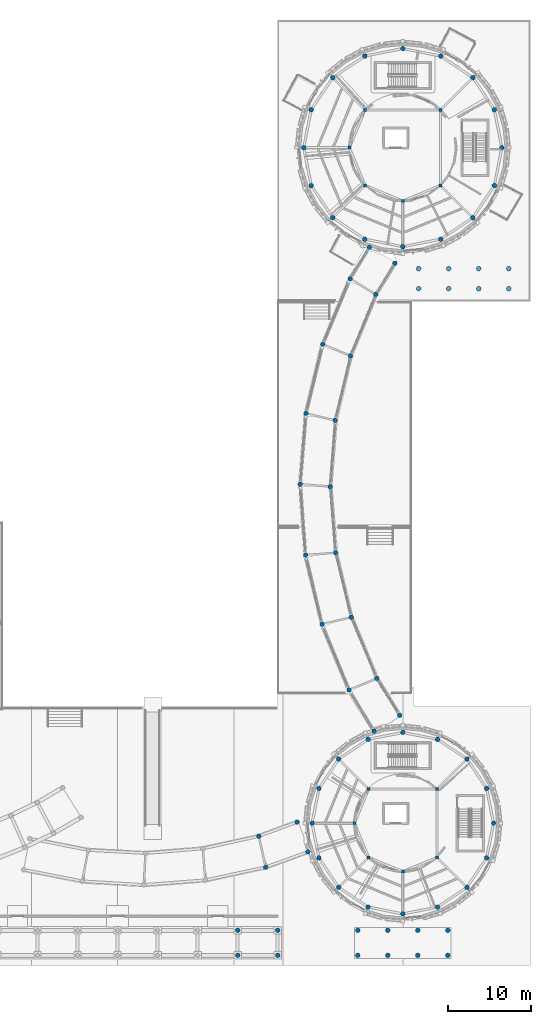
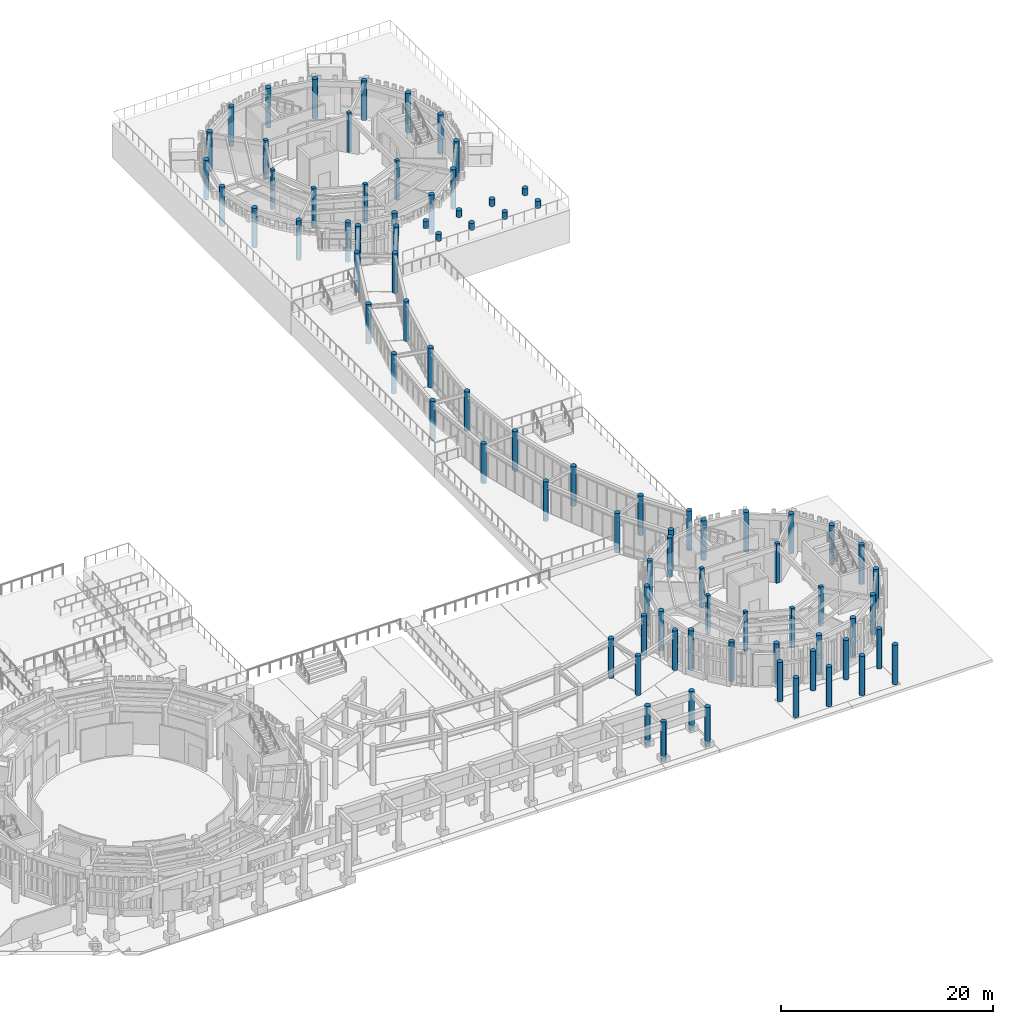
# One storey, part 4 of 94: 86 columns.
"""IFC4 building model written with IfcOpenShell, lengths in metres."""

from ifc_helpers import new_model, si_unit, direction, frame, origin, origin_2d, place, context, subcontext, project, spatial, rectangle, circle, extrude, material, material_profile, profile_set, type_object, element, save


model = new_model("IFC4")

# Units and contexts
model_context = context("Model", 3, precision=1e-05, world=origin(), true_north=direction((0.0, 1.0)))
body_context = subcontext(model_context, "Body", "Model", "MODEL_VIEW")
ifc_project = project(units=[si_unit("LENGTHUNIT", "METRE"), si_unit("AREAUNIT", "SQUARE_METRE"), si_unit("VOLUMEUNIT", "CUBIC_METRE"), si_unit("PLANEANGLEUNIT", "RADIAN"), si_unit("MASSUNIT", "GRAM", prefix="KILO")], contexts=[model_context])

# Site, building, storey
site_placement = place(None, origin())
site = spatial("IfcSite", under=ifc_project, at=site_placement, CompositionType="ELEMENT")
building_placement = place(site_placement, origin())
building = spatial("IfcBuilding", under=site, at=building_placement, Name="Aldenvaro Health Centre", CompositionType="ELEMENT")
storey_placement = place(building_placement, origin())
storey = spatial("IfcBuildingStorey", under=building, at=storey_placement, Name="L00", CompositionType="ELEMENT", Elevation=0.0)

# Columns
ifc_material_1 = material(Name="Glulam GL28h", Category="wood")
ifc_material_profile_1 = material_profile(ifc_material_1, rectangle(XDim=0.364990234375, YDim=0.364990234375, at=origin_2d()), Name="GL 365x365", Category="wood")
ifc_profile_set_1 = profile_set([ifc_material_profile_1], Name="Glulam GL28h")
column_type_1 = type_object("IfcColumnType", Name="COL-GL-365", PredefinedType="COLUMN", material=ifc_profile_set_1)
for number, where, z_axis, x_axis, name in (
    (1, (159.02490234375, 104.02490234375, 0.0), (0.0, 0.0, 1.0), (1.0, 0.0, 0.0), "D2 L00 column IN-01"),
    (2, (149.97509765625, 104.02490234375, 0.0), (0.0, 0.0, 1.0), (1.0, 0.0, 0.0), "D2 L00 column IN-02"),
    (3, (148.10009765625, 99.5, 0.0), (0.0, 0.0, 1.0), (1.0, 0.0, 0.0), "D2 L00 column IN-03"),
    (4, (149.97509765625, 94.97509765625, 0.0), (0.0, 0.0, 1.0), (1.0, 0.0, 0.0), "D2 L00 column IN-04"),
    (5, (154.5, 93.10009765625, 0.0), (0.0, 0.0, 1.0), (1.0, 0.0, 0.0), "D2 L00 column IN-05"),
    (6, (159.02490234375, 94.97509765625, 0.0), (0.0, 0.0, 1.0), (1.0, 0.0, 0.0), "D2 L00 column IN-06"),
    (7, (158.60107421875, 22.60107421875, 0.0), (0.0, 0.0, 1.0), (1.0, 0.0, 0.0), "D6 L00 column IN-01"),
    (8, (150.39892578125, 22.60107421875, 0.0), (0.0, 0.0, 1.0), (1.0, 0.0, 0.0), "D6 L00 column IN-02"),
    (9, (148.699951171875, 18.5, 0.0), (0.0, 0.0, 1.0), (1.0, 0.0, 0.0), "D6 L00 column IN-03"),
    (10, (150.39892578125, 14.39892578125, 0.0), (0.0, 0.0, 1.0), (1.0, 0.0, 0.0), "D6 L00 column IN-04"),
    (11, (154.5, 12.699951171875, 0.0), (0.0, 0.0, 1.0), (1.0, 0.0, 0.0), "D6 L00 column IN-05"),
    (12, (158.60107421875, 14.39892578125, 0.0), (0.0, 0.0, 1.0), (1.0, 0.0, 0.0), "D6 L00 column IN-06"),
):
    element("IfcColumn", number, at=place(storey_placement, frame(where, z_axis=z_axis, x_axis=x_axis)), inside=storey, type_object=column_type_1, Name=name, PredefinedType="COLUMN", context=body_context, shape_type="SweptSolid", body=[
        extrude(rectangle(XDim=0.364990234375, YDim=0.364990234375, at=origin_2d()), origin(), (0.0, 0.0, 1.0), 4.550048828125),
    ])
ifc_material_2 = material(Name="Concrete f'c 40 MPa", Category="concrete")
ifc_material_profile_2 = material_profile(ifc_material_2, circle(Radius=0.27490234375, at=origin_2d()), Name="RC D550", Category="concrete")
ifc_profile_set_2 = profile_set([ifc_material_profile_2], Name="Concrete f'c 40 MPa")
column_type_2 = type_object("IfcColumnType", Name="COL-RC-D550", PredefinedType="PILASTER", material=ifc_profile_set_2)
for number, where, z_axis, x_axis, name in (
    (13, (166.3798828125, 99.5, 0.0), (0.0, 0.0, 1.0), (1.0, 0.0, 0.0), "D2 L00 column OUT-01"),
    (14, (165.47607421875, 104.0458984375, 0.0), (0.0, 0.0, 1.0), (1.0, 0.0, 0.0), "D2 L00 column OUT-02"),
    (15, (162.89990234375, 107.89990234375, 0.0), (0.0, 0.0, 1.0), (1.0, 0.0, 0.0), "D2 L00 column OUT-03"),
    (16, (159.0458984375, 110.47607421875, 0.0), (0.0, 0.0, 1.0), (1.0, 0.0, 0.0), "D2 L00 column OUT-04"),
    (17, (154.5, 111.3798828125, 0.0), (0.0, 0.0, 1.0), (1.0, 0.0, 0.0), "D2 L00 column OUT-05"),
    (18, (149.9541015625, 110.47607421875, 0.0), (0.0, 0.0, 1.0), (1.0, 0.0, 0.0), "D2 L00 column OUT-06"),
    (19, (146.10009765625, 107.89990234375, 0.0), (0.0, 0.0, 1.0), (1.0, 0.0, 0.0), "D2 L00 column OUT-07"),
    (20, (143.52392578125, 104.0458984375, 0.0), (0.0, 0.0, 1.0), (1.0, 0.0, 0.0), "D2 L00 column OUT-08"),
    (21, (142.6201171875, 99.5, 0.0), (0.0, 0.0, 1.0), (1.0, 0.0, 0.0), "D2 L00 column OUT-09"),
    (22, (143.52392578125, 94.9541015625, 0.0), (0.0, 0.0, 1.0), (1.0, 0.0, 0.0), "D2 L00 column OUT-10"),
    (23, (146.10009765625, 91.10009765625, 0.0), (0.0, 0.0, 1.0), (1.0, 0.0, 0.0), "D2 L00 column OUT-11"),
    (24, (149.9541015625, 88.52392578125, 0.0), (0.0, 0.0, 1.0), (1.0, 0.0, 0.0), "D2 L00 column OUT-12"),
    (25, (154.5, 87.6201171875, 0.0), (0.0, 0.0, 1.0), (1.0, 0.0, 0.0), "D2 L00 column OUT-13"),
    (26, (159.0458984375, 88.52392578125, 0.0), (0.0, 0.0, 1.0), (1.0, 0.0, 0.0), "D2 L00 column OUT-14"),
    (27, (162.89990234375, 91.10009765625, 0.0), (0.0, 0.0, 1.0), (1.0, 0.0, 0.0), "D2 L00 column OUT-15"),
    (28, (165.47607421875, 94.9541015625, 0.0), (0.0, 0.0, 1.0), (1.0, 0.0, 0.0), "D2 L00 column OUT-16"),
    (29, (165.3798828125, 18.5, 0.0), (0.0, 0.0, 1.0), (1.0, 0.0, 0.0), "D6 L00 column OUT-01"),
    (30, (164.552001953125, 22.6640625, 0.0), (0.0, 0.0, 1.0), (1.0, 0.0, 0.0), "D6 L00 column OUT-02"),
    (31, (162.193115234375, 26.193115234375, 0.0), (0.0, 0.0, 1.0), (1.0, 0.0, 0.0), "D6 L00 column OUT-03"),
    (32, (158.6640625, 28.552001953125, 0.0), (0.0, 0.0, 1.0), (1.0, 0.0, 0.0), "D6 L00 column OUT-04"),
    (33, (154.5, 29.3798828125, 0.0), (0.0, 0.0, 1.0), (1.0, 0.0, 0.0), "D6 L00 column OUT-05"),
    (34, (150.3359375, 28.552001953125, 0.0), (0.0, 0.0, 1.0), (1.0, 0.0, 0.0), "D6 L00 column OUT-06"),
    (35, (146.806884765625, 26.193115234375, 0.0), (0.0, 0.0, 1.0), (1.0, 0.0, 0.0), "D6 L00 column OUT-07"),
    (36, (144.447998046875, 22.6640625, 0.0), (0.0, 0.0, 1.0), (1.0, 0.0, 0.0), "D6 L00 column OUT-08"),
    (37, (143.6201171875, 18.5, 0.0), (0.0, 0.0, 1.0), (1.0, 0.0, 0.0), "D6 L00 column OUT-09"),
    (38, (144.447998046875, 14.3359375, 0.0), (0.0, 0.0, 1.0), (1.0, 0.0, 0.0), "D6 L00 column OUT-10"),
    (39, (146.806884765625, 10.806884765625, 0.0), (0.0, 0.0, 1.0), (1.0, 0.0, 0.0), "D6 L00 column OUT-11"),
    (40, (150.3359375, 8.447998046875, 0.0), (0.0, 0.0, 1.0), (1.0, 0.0, 0.0), "D6 L00 column OUT-12"),
    (41, (154.5, 7.6201171875, 0.0), (0.0, 0.0, 1.0), (1.0, 0.0, 0.0), "D6 L00 column OUT-13"),
    (42, (158.6640625, 8.447998046875, 0.0), (0.0, 0.0, 1.0), (1.0, 0.0, 0.0), "D6 L00 column OUT-14"),
    (43, (162.193115234375, 10.806884765625, 0.0), (0.0, 0.0, 1.0), (1.0, 0.0, 0.0), "D6 L00 column OUT-15"),
    (44, (164.552001953125, 14.3359375, 0.0), (0.0, 0.0, 1.0), (1.0, 0.0, 0.0), "D6 L00 column OUT-16"),
    (45, (137.241943359375, 16.94091796875, 0.0), (0.0, 0.0, 1.0), (1.0, 0.0, 0.0), "South East Curved Peristyle Walkway Arc 4 L00 column 2.1"),
    (46, (138.052001953125, 13.22900390625, 0.0), (0.0, 0.0, 1.0), (1.0, 0.0, 0.0), "South East Curved Peristyle Walkway Arc 4 L00 column 2.2"),
    (47, (141.822998046875, 18.635986328125, 0.0), (0.0, 0.0, 1.0), (1.0, 0.0, 0.0), "South East Curved Peristyle Walkway Arc 5 L00 column 2.1"),
    (48, (143.12890625, 15.068115234375, 0.0), (0.0, 0.0, 1.0), (1.0, 0.0, 0.0), "South East Curved Peristyle Walkway Arc 5 L00 column 2.2"),
    (49, (153.55810546875, 85.64892578125, 0.0), (0.0, 0.0, 1.0), (1.0, 0.0, 0.0), "East Curved Garden Colonnade Arc 1 L00 column 1.1"),
    (50, (150.488037109375, 87.530029296875, 0.0), (0.0, 0.0, 1.0), (1.0, 0.0, 0.0), "East Curved Garden Colonnade Arc 1 L00 column 1.2"),
    (51, (151.257080078125, 81.89404296875, 0.0), (0.0, 0.0, 1.0), (1.0, 0.0, 0.0), "East Curved Garden Colonnade Arc 1 L00 column 2.1"),
    (52, (148.18701171875, 83.77587890625, 0.0), (0.0, 0.0, 1.0), (1.0, 0.0, 0.0), "East Curved Garden Colonnade Arc 1 L00 column 2.2"),
    (53, (148.23291015625, 74.533935546875, 0.0), (0.0, 0.0, 1.0), (1.0, 0.0, 0.0), "East Curved Garden Colonnade Arc 2 L00 column 2.1"),
    (54, (144.906982421875, 75.912109375, 0.0), (0.0, 0.0, 1.0), (1.0, 0.0, 0.0), "East Curved Garden Colonnade Arc 2 L00 column 2.2"),
    (55, (146.39599609375, 66.79296875, 0.0), (0.0, 0.0, 1.0), (1.0, 0.0, 0.0), "East Curved Garden Colonnade Arc 3 L00 column 2.1"),
    (56, (142.89599609375, 67.633056640625, 0.0), (0.0, 0.0, 1.0), (1.0, 0.0, 0.0), "East Curved Garden Colonnade Arc 3 L00 column 2.2"),
    (57, (145.7939453125, 58.85888671875, 0.0), (0.0, 0.0, 1.0), (1.0, 0.0, 0.0), "East Curved Garden Colonnade Arc 4 L00 column 2.1"),
    (58, (142.2060546875, 59.14111328125, 0.0), (0.0, 0.0, 1.0), (1.0, 0.0, 0.0), "East Curved Garden Colonnade Arc 4 L00 column 2.2"),
    (59, (146.43994140625, 50.927978515625, 0.0), (0.0, 0.0, 1.0), (1.0, 0.0, 0.0), "East Curved Garden Colonnade Arc 5 L00 column 2.1"),
    (60, (142.85205078125, 50.64599609375, 0.0), (0.0, 0.0, 1.0), (1.0, 0.0, 0.0), "East Curved Garden Colonnade Arc 5 L00 column 2.2"),
    (61, (148.320068359375, 43.197021484375, 0.0), (0.0, 0.0, 1.0), (1.0, 0.0, 0.0), "East Curved Garden Colonnade Arc 6 L00 column 2.1"),
    (62, (144.820068359375, 42.35693359375, 0.0), (0.0, 0.0, 1.0), (1.0, 0.0, 0.0), "East Curved Garden Colonnade Arc 6 L00 column 2.2"),
    (63, (151.385009765625, 35.85400390625, 0.0), (0.0, 0.0, 1.0), (1.0, 0.0, 0.0), "East Curved Garden Colonnade Arc 7 L00 column 2.1"),
    (64, (148.05908203125, 34.47607421875, 0.0), (0.0, 0.0, 1.0), (1.0, 0.0, 0.0), "East Curved Garden Colonnade Arc 7 L00 column 2.2"),
    (65, (154.125, 31.425048828125, 0.0), (0.0, 0.0, 1.0), (1.0, 0.0, 0.0), "East Curved Garden Colonnade Arc 8 L00 column 2.1"),
    (66, (151.055908203125, 29.5439453125, 0.0), (0.0, 0.0, 1.0), (1.0, 0.0, 0.0), "East Curved Garden Colonnade Arc 8 L00 column 2.2"),
    (67, (134.699951171875, 2.64990234375, 0.0), (0.0, 0.0, 1.0), (1.0, 0.0, 0.0), "South Neoclassical Stoa E Lower Column 8.1"),
    (68, (134.699951171875, 5.64990234375, 0.0), (0.0, 0.0, 1.0), (1.0, 0.0, 0.0), "South Neoclassical Stoa E Lower Column 8.2"),
    (69, (139.5, 2.64990234375, 0.0), (0.0, 0.0, 1.0), (1.0, 0.0, 0.0), "South Neoclassical Stoa E Lower Column 9.1"),
    (70, (139.5, 5.64990234375, 0.0), (0.0, 0.0, 1.0), (1.0, 0.0, 0.0), "South Neoclassical Stoa E Lower Column 9.2"),
    (71, (149.10009765625, 2.64990234375, 0.0), (0.0, 0.0, 1.0), (1.0, 0.0, 0.0), "Pavilion Tetrastyle Portico E6 Lower Column 1.1"),
    (72, (149.10009765625, 5.64990234375, 0.0), (0.0, 0.0, 1.0), (1.0, 0.0, 0.0), "Pavilion Tetrastyle Portico E6 Lower Column 1.2"),
    (73, (152.699951171875, 2.64990234375, 0.0), (0.0, 0.0, 1.0), (1.0, 0.0, 0.0), "Pavilion Tetrastyle Portico E6 Lower Column 2.1"),
    (74, (152.699951171875, 5.64990234375, 0.0), (0.0, 0.0, 1.0), (1.0, 0.0, 0.0), "Pavilion Tetrastyle Portico E6 Lower Column 2.2"),
    (75, (156.300048828125, 2.64990234375, 0.0), (0.0, 0.0, 1.0), (1.0, 0.0, 0.0), "Pavilion Tetrastyle Portico E6 Lower Column 3.1"),
    (76, (156.300048828125, 5.64990234375, 0.0), (0.0, 0.0, 1.0), (1.0, 0.0, 0.0), "Pavilion Tetrastyle Portico E6 Lower Column 3.2"),
    (77, (159.89990234375, 2.64990234375, 0.0), (0.0, 0.0, 1.0), (1.0, 0.0, 0.0), "Pavilion Tetrastyle Portico E6 Lower Column 4.1"),
    (78, (159.89990234375, 5.64990234375, 0.0), (0.0, 0.0, 1.0), (1.0, 0.0, 0.0), "Pavilion Tetrastyle Portico E6 Lower Column 4.2"),
):
    element("IfcColumn", number, at=place(storey_placement, frame(where, z_axis=z_axis, x_axis=x_axis)), inside=storey, type_object=column_type_2, Name=name, PredefinedType="PILASTER", context=body_context, shape_type="SweptSolid", body=[
        extrude(circle(Radius=0.27490234375, at=origin_2d()), origin(), (0.0, 0.0, 1.0), 4.550048828125),
    ])
for number, where, z_axis, x_axis, name in (
    (79, (156.39990234375, 82.60009765625, 3.75), (0.0, 0.0, 1.0), (1.0, 0.0, 0.0), "Bastion Tetrastyle Portico N2 Plinth Column 1.1"),
    (80, (156.39990234375, 85.0, 3.75), (0.0, 0.0, 1.0), (1.0, 0.0, 0.0), "Bastion Tetrastyle Portico N2 Plinth Column 1.2"),
    (81, (160.0, 82.60009765625, 3.75), (0.0, 0.0, 1.0), (1.0, 0.0, 0.0), "Bastion Tetrastyle Portico N2 Plinth Column 2.1"),
    (82, (160.0, 85.0, 3.75), (0.0, 0.0, 1.0), (1.0, 0.0, 0.0), "Bastion Tetrastyle Portico N2 Plinth Column 2.2"),
    (83, (163.60009765625, 82.60009765625, 3.75), (0.0, 0.0, 1.0), (1.0, 0.0, 0.0), "Bastion Tetrastyle Portico N2 Plinth Column 3.1"),
    (84, (163.60009765625, 85.0, 3.75), (0.0, 0.0, 1.0), (1.0, 0.0, 0.0), "Bastion Tetrastyle Portico N2 Plinth Column 3.2"),
    (85, (167.199951171875, 82.60009765625, 3.75), (0.0, 0.0, 1.0), (1.0, 0.0, 0.0), "Bastion Tetrastyle Portico N2 Plinth Column 4.1"),
    (86, (167.199951171875, 85.0, 3.75), (0.0, 0.0, 1.0), (1.0, 0.0, 0.0), "Bastion Tetrastyle Portico N2 Plinth Column 4.2"),
):
    element("IfcColumn", number, at=place(storey_placement, frame(where, z_axis=z_axis, x_axis=x_axis)), inside=storey, type_object=column_type_2, Name=name, PredefinedType="PILASTER", context=body_context, shape_type="SweptSolid", body=[
        extrude(circle(Radius=0.27490234375, at=origin_2d()), origin(), (0.0, 0.0, 1.0), 0.800048828125),
    ])

save(model, "model.ifc")
